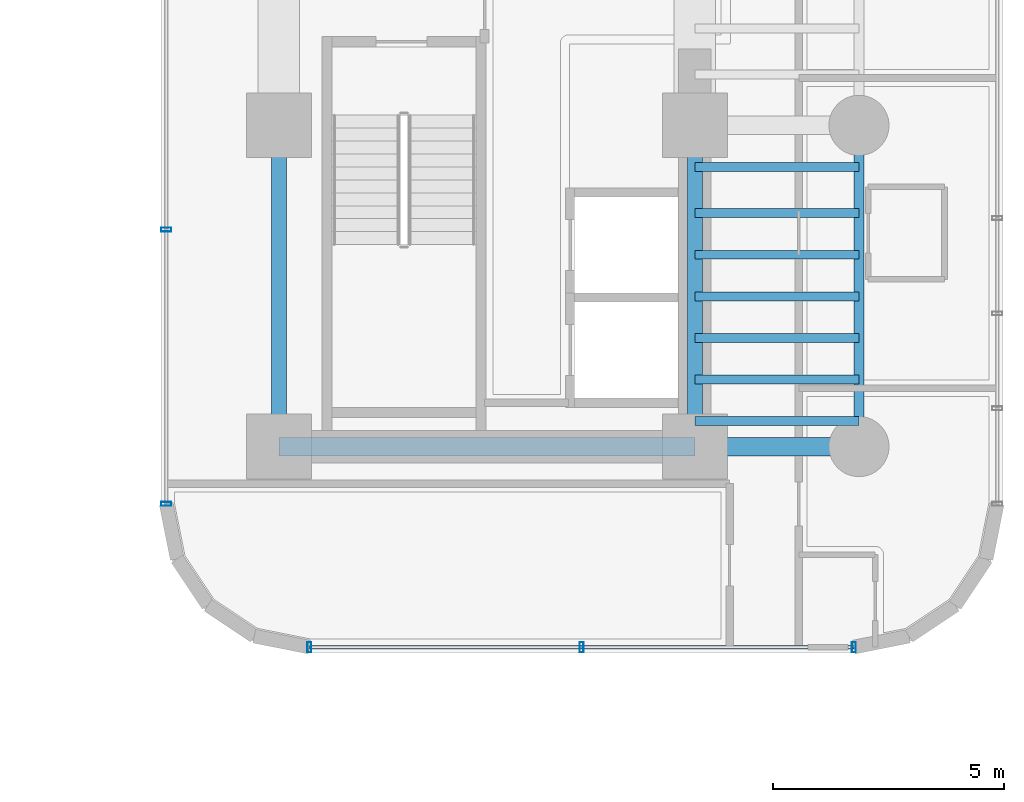
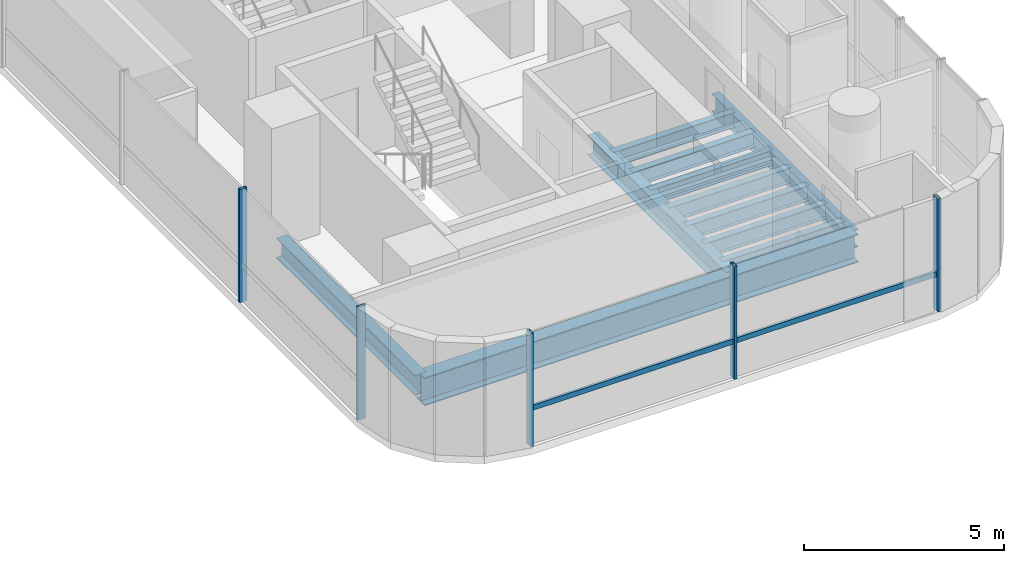
# One storey, part 12 of 39: 12 beams, 6 members, 2 elements without a shape of their own.
"""IFC4 building model written with IfcOpenShell, lengths in metres."""

from ifc_helpers import new_model, si_unit, direction, frame, origin, origin_2d, place, context, subcontext, project, spatial, hollow_rectangle, i_section, extrude, source, transform, mapped, material, material_profile, profile_set, type_object, element, aggregate, save


model = new_model("IFC4")

# Units and contexts
model_context = context("Model", 3, precision=1e-05, world=origin(), true_north=direction((0.0, 1.0)))
body_context = subcontext(model_context, "Body", "Model", "MODEL_VIEW")
ifc_project = project(units=[si_unit("LENGTHUNIT", "METRE"), si_unit("AREAUNIT", "SQUARE_METRE"), si_unit("VOLUMEUNIT", "CUBIC_METRE"), si_unit("PLANEANGLEUNIT", "RADIAN"), si_unit("MASSUNIT", "GRAM", prefix="KILO")], contexts=[model_context])

# Site, building, storey
site_placement = place(None, origin())
site = spatial("IfcSite", under=ifc_project, at=site_placement, CompositionType="ELEMENT")
building_placement = place(site_placement, origin())
building = spatial("IfcBuilding", under=site, at=building_placement, Name="Valdorenza Pilgrim Sanctuary Tower", CompositionType="ELEMENT")
storey_placement = place(building_placement, frame((0.0, 0.0, 70.39990234375)))
storey = spatial("IfcBuildingStorey", under=building, at=storey_placement, Name="L17", CompositionType="ELEMENT", Elevation=70.39990234375)

# Beams
ifc_material_1 = material(Name="Steel ASTM A992 Grade 50", Category="steel")
ifc_material_profile_1 = material_profile(ifc_material_1, i_section(OverallWidth=0.323974609375, OverallDepth=0.611083984375, WebThickness=0.0126953125, FlangeThickness=0.01904296875, at=origin_2d()), Name="W24X104")
ifc_profile_set_1 = profile_set([ifc_material_profile_1], Name="Steel ASTM A992 Grade 50")
beam_type_1 = type_object("IfcBeamType", Name="STR-BM-GRD-W24B", PredefinedType="BEAM", material=ifc_profile_set_1)
shared_shape_1 = source(origin(), body_context, "Body", "SweptSolid", [
    extrude(i_section(OverallWidth=0.323974609375, OverallDepth=0.611083984375, WebThickness=0.0126953125, FlangeThickness=0.01904296875, at=origin_2d()), origin(), (0.0, 0.0, 1.0), 6.949951171875),
])
for number, where, z_axis, x_axis, name in (
    (1, (15.85009765625, -9.550048828125, -0.54541015625), (0.0, 1.0, 0.0), (-1.0, 0.0, 0.0), "L17 Core Tie Girder CB-W-S1M0"),
    (2, (24.85009765625, -9.550048828125, -0.54541015625), (0.0, 1.0, 0.0), (-1.0, 0.0, 0.0), "L17 Core Tie Girder CB-E-S1M0"),
):
    element("IfcBeam", number, at=place(storey_placement, frame(where, z_axis=z_axis, x_axis=x_axis)), inside=storey, type_object=beam_type_1, Name=name, PredefinedType="BEAM", context=body_context, shape_type="MappedRepresentation", body=[
        mapped(shared_shape_1, transform((0.0, 0.0, 0.0), x_axis=(1.0, 0.0, 0.0), y_axis=(0.0, 1.0, 0.0), z_axis=(0.0, 0.0, 1.0), scale=1.0)),
    ])
ifc_material_profile_2 = material_profile(ifc_material_1, i_section(OverallWidth=0.214111328125, OverallDepth=0.549072265625, WebThickness=0.0146484375, FlangeThickness=0.023681640625, at=origin_2d()), Name="W21X93")
ifc_profile_set_2 = profile_set([ifc_material_profile_2], Name="Steel ASTM A992 Grade 50")
beam_type_2 = type_object("IfcBeamType", Name="STR-BM-SPN-W21A", PredefinedType="SPANDREL", material=ifc_profile_set_2)
shared_shape_2 = source(origin(), body_context, "Body", "SweptSolid", [
    extrude(i_section(OverallWidth=0.214111328125, OverallDepth=0.549072265625, WebThickness=0.0146484375, FlangeThickness=0.023681640625, at=origin_2d()), origin(), (0.0, 0.0, 1.0), 6.949951171875),
])
beam_1_placement = place(storey_placement, frame((28.39990234375, -9.550048828125, -0.514404296875), z_axis=(0.0, 1.0, 0.0), x_axis=(-1.0, 0.0, 0.0)))
element("IfcBeam", 3, at=beam_1_placement, inside=storey, type_object=beam_type_2, Name="L17 Spandrel Beam WB-E-S1M0", PredefinedType="SPANDREL", context=body_context, shape_type="MappedRepresentation", body=[
    mapped(shared_shape_2, transform((0.0, 0.0, 0.0), x_axis=(1.0, 0.0, 0.0), y_axis=(0.0, 1.0, 0.0), z_axis=(0.0, 0.0, 1.0), scale=1.0)),
])
ifc_material_profile_3 = material_profile(ifc_material_1, i_section(OverallWidth=0.193115234375, OverallDepth=0.466064453125, WebThickness=0.011474609375, FlangeThickness=0.01904296875, at=origin_2d()), Name="W18X65")
ifc_profile_set_3 = profile_set([ifc_material_profile_3], Name="Steel ASTM A992 Grade 50")
beam_type_3 = type_object("IfcBeamType", Name="STR-BM-JST-W18A", PredefinedType="JOIST", material=ifc_profile_set_3)
shared_shape_3 = source(origin(), body_context, "Body", "SweptSolid", [
    extrude(i_section(OverallWidth=0.193115234375, OverallDepth=0.466064453125, WebThickness=0.011474609375, FlangeThickness=0.01904296875, at=origin_2d()), origin(), (0.0, 0.0, 1.0), 3.5498046875),
])
for number, where, z_axis, x_axis, name in (
    (4, (24.85009765625, -9.0, -0.472900390625), (1.0, 0.0, 0.0), (0.0, 1.0, 0.0), "L17 Composite Floor Joist JST-WB-1"),
    (5, (24.85009765625, -8.10009765625, -0.472900390625), (1.0, 0.0, 0.0), (0.0, 1.0, 0.0), "L17 Composite Floor Joist JST-WB-2"),
    (6, (24.85009765625, -7.199951171875, -0.472900390625), (1.0, 0.0, 0.0), (0.0, 1.0, 0.0), "L17 Composite Floor Joist JST-WB-3"),
    (7, (24.85009765625, -6.300048828125, -0.472900390625), (1.0, 0.0, 0.0), (0.0, 1.0, 0.0), "L17 Composite Floor Joist JST-WB-4"),
    (8, (24.85009765625, -5.39990234375, -0.472900390625), (1.0, 0.0, 0.0), (0.0, 1.0, 0.0), "L17 Composite Floor Joist JST-WB-5"),
    (9, (24.85009765625, -4.5, -0.472900390625), (1.0, 0.0, 0.0), (0.0, 1.0, 0.0), "L17 Composite Floor Joist JST-WB-6"),
    (10, (24.85009765625, -3.5, -0.472900390625), (1.0, 0.0, 0.0), (0.0, 1.0, 0.0), "L17 Composite Floor Joist JST-WB-7"),
):
    element("IfcBeam", number, at=place(storey_placement, frame(where, z_axis=z_axis, x_axis=x_axis)), inside=storey, type_object=beam_type_3, Name=name, PredefinedType="JOIST", context=body_context, shape_type="MappedRepresentation", body=[
        mapped(shared_shape_3, transform((0.0, 0.0, 0.0), x_axis=(1.0, 0.0, 0.0), y_axis=(0.0, 1.0, 0.0), z_axis=(0.0, 0.0, 1.0), scale=1.0)),
    ])
ifc_material_profile_4 = material_profile(ifc_material_1, i_section(OverallWidth=0.39990234375, OverallDepth=0.862060546875, WebThickness=0.019775390625, FlangeThickness=0.032470703125, at=origin_2d()), Name="W33X221")
ifc_profile_set_4 = profile_set([ifc_material_profile_4], Name="Steel ASTM A992 Grade 50")
beam_type_4 = type_object("IfcBeamType", Name="STR-BM-GRD-W33", PredefinedType="BEAM", material=ifc_profile_set_4)
shared_shape_4 = source(origin(), body_context, "Body", "SweptSolid", [
    extrude(i_section(OverallWidth=0.39990234375, OverallDepth=0.862060546875, WebThickness=0.019775390625, FlangeThickness=0.032470703125, at=origin_2d()), origin(), (0.0, 0.0, 1.0), 9.0),
])
beam_2_placement = place(storey_placement, frame((15.85009765625, -9.550048828125, -0.6708984375), z_axis=(1.0, 0.0, 0.0), x_axis=(0.0, 1.0, 0.0)))
element("IfcBeam", 11, at=beam_2_placement, inside=storey, type_object=beam_type_4, Name="L17 Floor Girder CB-XC-S1", PredefinedType="BEAM", context=body_context, shape_type="MappedRepresentation", body=[
    mapped(shared_shape_4, transform((0.0, 0.0, 0.0), x_axis=(1.0, 0.0, 0.0), y_axis=(0.0, 1.0, 0.0), z_axis=(0.0, 0.0, 1.0), scale=1.0)),
])
shared_shape_5 = source(origin(), body_context, "Body", "SweptSolid", [
    extrude(i_section(OverallWidth=0.39990234375, OverallDepth=0.862060546875, WebThickness=0.019775390625, FlangeThickness=0.032470703125, at=origin_2d()), origin(), (0.0, 0.0, 1.0), 3.5498046875),
])
beam_3_placement = place(storey_placement, frame((24.85009765625, -9.550048828125, -0.6708984375), z_axis=(1.0, 0.0, 0.0), x_axis=(0.0, 1.0, 0.0)))
element("IfcBeam", 12, at=beam_3_placement, inside=storey, type_object=beam_type_4, Name="L17 Floor Girder WB-XE-S1", PredefinedType="BEAM", context=body_context, shape_type="MappedRepresentation", body=[
    mapped(shared_shape_5, transform((0.0, 0.0, 0.0), x_axis=(1.0, 0.0, 0.0), y_axis=(0.0, 1.0, 0.0), z_axis=(0.0, 0.0, 1.0), scale=1.0)),
])

# Curtain wall, members
ifc_material_2 = material(Name="Curtain-wall IGU glazing", Category="glass")
curtain_wall_type = type_object("IfcCurtainWallType", Name="CW-SYS-03", PredefinedType="NOTDEFINED", material=ifc_material_2)
curtain_wall_1_placement = place(storey_placement, origin())
curtain_wall_1 = element("IfcCurtainWall", 13, at=curtain_wall_1_placement, inside=storey, type_object=curtain_wall_type, Name="L17 Curtain Wall CW-L17-1-26", PredefinedType="NOTDEFINED")
ifc_material_3 = material(Name="Anodised aluminium AW-6060", Category="aluminium")
ifc_material_profile_5 = material_profile(ifc_material_3, hollow_rectangle(XDim=0.074951171875, YDim=0.159912109375, WallThickness=0.00390625, at=origin_2d()), Name="ALU-T 160x75x4")
ifc_profile_set_5 = profile_set([ifc_material_profile_5], Name="Anodised aluminium AW-6060")
member_type_1 = type_object("IfcMemberType", Name="CW-TRN-03", PredefinedType="USERDEFINED", material=ifc_profile_set_5)
shared_shape_6 = source(origin(), body_context, "Body", "SweptSolid", [
    extrude(hollow_rectangle(XDim=0.074951171875, YDim=0.159912109375, WallThickness=0.00390625, at=origin_2d()), origin(), (0.0, 0.0, 1.0), 11.778564453125),
])
member_1_placement = place(storey_placement, frame((28.289306640625, -13.889892578125, 1.1201171875), z_axis=(-1.0, 0.0, 0.0), x_axis=(0.0, -1.0, 0.0)))
member_1 = element("IfcMember", 14, at=member_1_placement, type_object=member_type_1, Name="CW-L17-1-26 Transom 1", ObjectType="TRANSOM", PredefinedType="USERDEFINED", context=body_context, shape_type="MappedRepresentation", body=[
    mapped(shared_shape_6, transform((0.0, 0.0, 0.0), x_axis=(1.0, 0.0, 0.0), y_axis=(0.0, 1.0, 0.0), z_axis=(0.0, 0.0, 1.0), scale=1.0)),
])
ifc_material_profile_6 = material_profile(ifc_material_3, hollow_rectangle(XDim=0.0849609375, YDim=0.219970703125, WallThickness=0.0048828125, at=origin_2d()), Name="ALU-M 220x85x5")
ifc_profile_set_6 = profile_set([ifc_material_profile_6], Name="Anodised aluminium AW-6060")
member_type_2 = type_object("IfcMemberType", Name="CW-MUL-03", PredefinedType="MULLION", material=ifc_profile_set_6)
shared_shape_7 = source(origin(), body_context, "Body", "SweptSolid", [
    extrude(hollow_rectangle(XDim=0.0849609375, YDim=0.219970703125, WallThickness=0.0048828125, at=origin_2d()), origin(), (0.0, 0.0, 1.0), 3.460205078125),
])
member_2_placement = place(storey_placement, frame((28.289306640625, -13.889892578125, 0.0), z_axis=(0.0, 0.0, 1.0), x_axis=(-1.0, 0.0, 0.0)))
member_2 = element("IfcMember", 15, at=member_2_placement, type_object=member_type_2, Name="CW-L17-1-26 Mullion 1", PredefinedType="MULLION", context=body_context, shape_type="MappedRepresentation", body=[
    mapped(shared_shape_7, transform((0.0, 0.0, 0.0), x_axis=(1.0, 0.0, 0.0), y_axis=(0.0, 1.0, 0.0), z_axis=(0.0, 0.0, 1.0), scale=1.0)),
])
member_3_placement = place(storey_placement, frame((22.39990234375, -13.889892578125, 0.0), z_axis=(0.0, 0.0, 1.0), x_axis=(-1.0, 0.0, 0.0)))
member_3 = element("IfcMember", 16, at=member_3_placement, type_object=member_type_2, Name="CW-L17-1-26 Mullion 2", PredefinedType="MULLION", context=body_context, shape_type="MappedRepresentation", body=[
    mapped(shared_shape_7, transform((0.0, 0.0, 0.0), x_axis=(1.0, 0.0, 0.0), y_axis=(0.0, 1.0, 0.0), z_axis=(0.0, 0.0, 1.0), scale=1.0)),
])
member_4_placement = place(storey_placement, frame((16.5107421875, -13.889892578125, 0.0), z_axis=(0.0, 0.0, 1.0), x_axis=(-1.0, 0.0, 0.0)))
member_4 = element("IfcMember", 17, at=member_4_placement, type_object=member_type_2, Name="CW-L17-1-26 Mullion 3", PredefinedType="MULLION", context=body_context, shape_type="MappedRepresentation", body=[
    mapped(shared_shape_7, transform((0.0, 0.0, 0.0), x_axis=(1.0, 0.0, 0.0), y_axis=(0.0, 1.0, 0.0), z_axis=(0.0, 0.0, 1.0), scale=1.0)),
])
aggregate(curtain_wall_1, [member_2, member_3, member_4, member_1])

curtain_wall_2_placement = place(storey_placement, origin())
curtain_wall_2 = element("IfcCurtainWall", 18, at=curtain_wall_2_placement, inside=storey, type_object=curtain_wall_type, Name="L17 Curtain Wall CW-L17-1-31", PredefinedType="NOTDEFINED")
member_5_placement = place(storey_placement, frame((13.409912109375, -10.789306640625, 0.0), z_axis=(0.0, 0.0, 1.0), x_axis=(0.0, 1.0, 0.0)))
member_5 = element("IfcMember", 19, at=member_5_placement, type_object=member_type_2, Name="CW-L17-1-31 Mullion 1", PredefinedType="MULLION", context=body_context, shape_type="MappedRepresentation", body=[
    mapped(shared_shape_7, transform((0.0, 0.0, 0.0), x_axis=(1.0, 0.0, 0.0), y_axis=(0.0, 1.0, 0.0), z_axis=(0.0, 0.0, 1.0), scale=1.0)),
])
member_6_placement = place(storey_placement, frame((13.409912109375, -4.85595703125, 0.0), z_axis=(0.0, 0.0, 1.0), x_axis=(0.0, 1.0, 0.0)))
member_6 = element("IfcMember", 20, at=member_6_placement, type_object=member_type_2, Name="CW-L17-1-31 Mullion 2", PredefinedType="MULLION", context=body_context, shape_type="MappedRepresentation", body=[
    mapped(shared_shape_7, transform((0.0, 0.0, 0.0), x_axis=(1.0, 0.0, 0.0), y_axis=(0.0, 1.0, 0.0), z_axis=(0.0, 0.0, 1.0), scale=1.0)),
])
aggregate(curtain_wall_2, [member_5, member_6])

save(model, "model.ifc")
